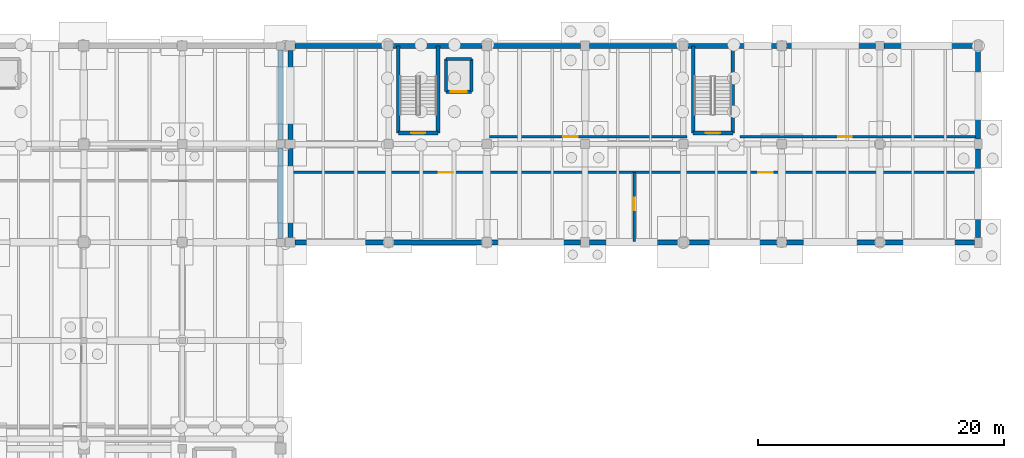
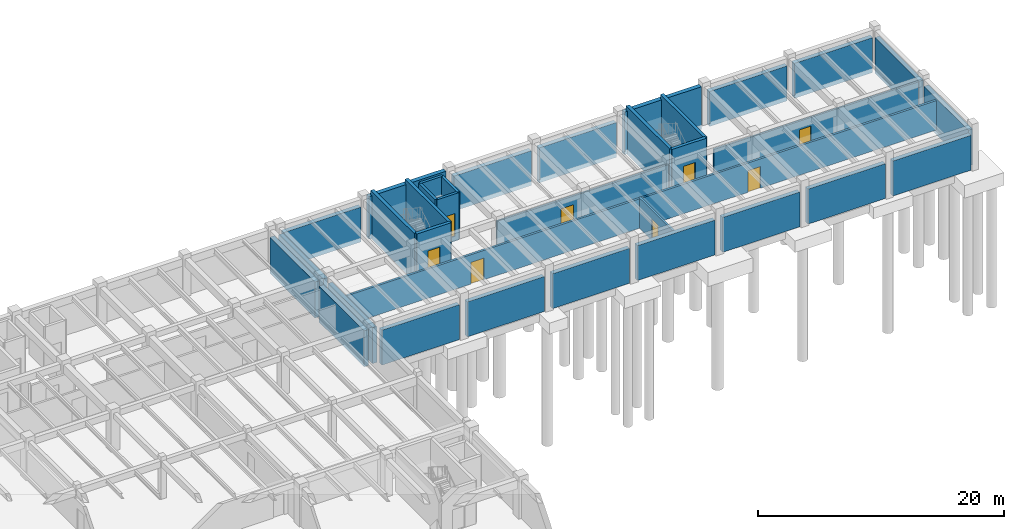
# One storey, part 16 of 25: 34 walls, 8 doors, 8 openings.
"""IFC4 building model written with IfcOpenShell, lengths in metres."""

import ifcopenshell
import ifcopenshell.guid

model = None  # the IFC model being written
_history = None  # IfcOwnerHistory: only IFC2X3 demands one
_inside = {}  # id of a spatial element -> (the spatial element, [elements in it])
_under = {}  # id of a project, library or spatial element -> (it, [spatial elements below it])
_declared = {}  # id of a project -> (the project, [libraries it declares])
_typed = {}  # id of a type object -> (the type object, [elements of that type])
_made_of = {}  # id of a material, layer set ... -> (it, [elements and type objects made of it])


def new_model(schema):
    """Start an empty IFC model of exactly this schema.

    Asked for "IFC4X3", IfcOpenShell would pick the latest addendum, in which some entities
    have other attributes; the version numbers below select the first issue.
    IFC2X3 requires an IfcOwnerHistory on every rooted entity: one is made here for all.
    """
    global model, _history
    if schema == "IFC4X3":
        model = ifcopenshell.file(schema_version=(4, 3, 0, 0))
    else:
        model = ifcopenshell.file(schema=schema)
    _inside.clear()
    _under.clear()
    _declared.clear()
    _typed.clear()
    _made_of.clear()
    _history = None
    if model.schema == "IFC2X3":
        org = make("IfcOrganization", Name="unknown")
        user = make(
            "IfcPersonAndOrganization",
            ThePerson=make("IfcPerson", FamilyName="unknown"),
            TheOrganization=org,
        )
        app = make(
            "IfcApplication",
            ApplicationDeveloper=org,
            Version="unknown",
            ApplicationFullName="unknown",
            ApplicationIdentifier="unknown",
        )
        _history = make(
            "IfcOwnerHistory",
            OwningUser=user,
            OwningApplication=app,
            ChangeAction="ADDED",
            CreationDate=0,
        )
    return model


def make(cls, **values):
    """One entity of the class cls with the attributes given. An attribute that is None is left unset."""
    return model.create_entity(
        cls, **{name: value for name, value in values.items() if value is not None}
    )


def rooted(cls, **values):
    """An entity with a GlobalId (a new one), such as an element, a storey or a relation."""
    return make(cls, GlobalId=ifcopenshell.guid.new(), OwnerHistory=_history, **values)


def si_unit(unit_type, name, prefix=None):
    """IfcSIUnit, for example si_unit("LENGTHUNIT", "METRE", prefix="MILLI")."""
    return make("IfcSIUnit", UnitType=unit_type, Prefix=prefix, Name=name)


def assignment(units):
    """IfcUnitAssignment: the units of a project."""
    return None if units is None else make("IfcUnitAssignment", Units=units)


def point(xyz):
    """IfcCartesianPoint."""
    return None if xyz is None else make("IfcCartesianPoint", Coordinates=xyz)


def direction(xyz):
    """IfcDirection."""
    return None if xyz is None else make("IfcDirection", DirectionRatios=xyz)


def frame(location, z_axis=None, x_axis=None):
    """IfcAxis2Placement3D, a coordinate frame: its origin and axes. An axis left out is left unset."""
    return make(
        "IfcAxis2Placement3D",
        Location=point(location),
        Axis=direction(z_axis),
        RefDirection=direction(x_axis),
    )


def frame_2d(location, x_axis=None):
    """IfcAxis2Placement2D, a coordinate frame in the plane: its origin and x axis."""
    return make(
        "IfcAxis2Placement2D", Location=point(location), RefDirection=direction(x_axis)
    )


def origin():
    """The frame at (0, 0, 0) with its axes left unset."""
    return frame((0.0, 0.0, 0.0))


def place(relative_to, where):
    """IfcLocalPlacement: puts the frame where relative to a parent placement (None: the world)."""
    return make(
        "IfcLocalPlacement", PlacementRelTo=relative_to, RelativePlacement=where
    )


def context(
    kind, dimensions, precision=None, world=None, true_north=None, identifier=None
):
    """IfcGeometricRepresentationContext, for example the 3D "Model" context."""
    return make(
        "IfcGeometricRepresentationContext",
        ContextIdentifier=identifier,
        ContextType=kind,
        CoordinateSpaceDimension=dimensions,
        Precision=precision,
        WorldCoordinateSystem=world,
        TrueNorth=true_north,
    )


def subcontext(parent, identifier, kind, view, scale=None):
    """IfcGeometricRepresentationSubContext, for example "Body" below "Model"."""
    return make(
        "IfcGeometricRepresentationSubContext",
        ContextIdentifier=identifier,
        ContextType=kind,
        ParentContext=parent,
        TargetScale=scale,
        TargetView=view,
    )


def project(units=None, contexts=None):
    """IfcProject with its units and contexts."""
    return rooted(
        "IfcProject",
        Name="project",
        RepresentationContexts=contexts,
        UnitsInContext=assignment(units),
    )


def spatial(cls, under=None, at=None, **own):
    """A site, building, storey or space (cls), placed at a placement, below another one or the project."""
    s = rooted(cls, ObjectPlacement=at, **own)
    if under is not None:
        _under.setdefault(under.id(), (under, []))[1].append(s)
    return s


def profile(cls, at=None, kind="AREA", **sizes):
    """A parametric profile (cls). Its sizes go by their IFC names, for example OverallWidth=200.0."""
    return make(cls, ProfileType=kind, Position=at, **sizes)


def rectangle(**sizes):
    """IfcRectangleProfileDef."""
    return profile("IfcRectangleProfileDef", **sizes)


def extrude(swept, where, along, depth):
    """IfcExtrudedAreaSolid: the profile swept, set in the frame where, extruded along a direction by depth."""
    return make(
        "IfcExtrudedAreaSolid",
        SweptArea=swept,
        Position=where,
        ExtrudedDirection=direction(along),
        Depth=depth,
    )


def shape(context_of_items, identifier, shape_type, items):
    """IfcShapeRepresentation: the items that make up one representation, for example the "Body"."""
    return make(
        "IfcShapeRepresentation",
        ContextOfItems=context_of_items,
        RepresentationIdentifier=identifier,
        RepresentationType=shape_type,
        Items=items,
    )


def material(Name=None, Category=None):
    """IfcMaterial."""
    return make("IfcMaterial", Name=Name, Category=Category)


def layer(
    of_material, thickness, ventilated=None, Name=None, Category=None, Priority=None
):
    """IfcMaterialLayer: one layer of a wall or slab, of a material (None: an air gap)."""
    return make(
        "IfcMaterialLayer",
        Material=of_material,
        LayerThickness=thickness,
        IsVentilated=ventilated,
        Name=Name,
        Category=Category,
        Priority=Priority,
    )


def layer_set(layers, Name=None):
    """IfcMaterialLayerSet."""
    return make("IfcMaterialLayerSet", MaterialLayers=layers, LayerSetName=Name)


def made_of(thing, what):
    """Note that an element or type object is made of a material, layer set ...; save() writes the relation."""
    if what is not None:
        _made_of.setdefault(what.id(), (what, []))[1].append(thing)
    return thing


def type_object(cls, material=None, **own):
    """A type object (cls), such as IfcWallType, which elements share."""
    return made_of(rooted(cls, **own), material)


def element(
    cls,
    number,
    at=None,
    inside=None,
    cuts=None,
    type_object=None,
    material=None,
    context=None,
    identifier="Body",
    shape_type=None,
    held_by="IfcProductDefinitionShape",
    body=None,
    shapes=None,
    **own,
):
    """One element of the class cls, such as IfcWall. Its Tag is "e" and its number.

    at: its placement. inside: the storey or other place that contains it. cuts: it is an
    opening in that element (IfcRelVoidsElement). A single representation is given by context,
    identifier, shape_type and body (its items); several are given by shapes. held_by: the class
    of the entity that holds the representations. save() writes the other relations.
    """
    e = rooted(cls, Tag="e%d" % number, ObjectPlacement=at, **own)
    if body is not None:
        shapes = [shape(context, identifier, shape_type, body)]
    if shapes is not None:
        e.Representation = make(held_by, Representations=shapes)
    if inside is not None:
        _inside.setdefault(inside.id(), (inside, []))[1].append(e)
    if cuts is not None:
        rooted(
            "IfcRelVoidsElement", RelatingBuildingElement=cuts, RelatedOpeningElement=e
        )
    if type_object is not None:
        _typed.setdefault(type_object.id(), (type_object, []))[1].append(e)
    return made_of(e, material)


def fill(opening, filler):
    """IfcRelFillsElement: the door or window that sits in an opening."""
    return rooted(
        "IfcRelFillsElement",
        RelatingOpeningElement=opening,
        RelatedBuildingElement=filler,
    )


def aggregate(whole, parts):
    """IfcRelAggregates: a whole, such as a stair, and the parts it consists of."""
    return rooted("IfcRelAggregates", RelatingObject=whole, RelatedObjects=parts)


def save(model, path):
    """Write the relations noted so far, then the file.

    IfcRelAggregates (storeys below a building ...), IfcRelContainedInSpatialStructure (elements
    in a storey), IfcRelDefinesByType, IfcRelAssociatesMaterial and IfcRelDeclares: one each for
    every whole, place, type object, material and project.
    """
    for whole, parts in _under.values():
        aggregate(whole, parts)
    for where, things in _inside.values():
        rooted(
            "IfcRelContainedInSpatialStructure",
            RelatedElements=things,
            RelatingStructure=where,
        )
    for kind, things in _typed.values():
        rooted("IfcRelDefinesByType", RelatedObjects=things, RelatingType=kind)
    for what, things in _made_of.values():
        rooted("IfcRelAssociatesMaterial", RelatedObjects=things, RelatingMaterial=what)
    for by, libraries in _declared.values():
        rooted("IfcRelDeclares", RelatingContext=by, RelatedDefinitions=libraries)
    model.write(path)


model = new_model("IFC4")

# Units and contexts
model_context = context("Model", 3, precision=1e-05, world=origin(), true_north=direction((0.0, 1.0)))
body_context = subcontext(model_context, "Body", "Model", "MODEL_VIEW")
ifc_project = project(units=[si_unit("LENGTHUNIT", "METRE"), si_unit("AREAUNIT", "SQUARE_METRE"), si_unit("VOLUMEUNIT", "CUBIC_METRE"), si_unit("PLANEANGLEUNIT", "RADIAN"), si_unit("MASSUNIT", "GRAM", prefix="KILO")], contexts=[model_context])

# Site, building, storey
site_placement = place(None, origin())
site = spatial("IfcSite", under=ifc_project, at=site_placement, CompositionType="ELEMENT")
building_placement = place(site_placement, origin())
building = spatial("IfcBuilding", under=site, at=building_placement, Name="Tlaxcora Railside Police Headquarters", CompositionType="ELEMENT")
storey_placement = place(building_placement, frame((0.0, 0.0, -4.199951171875)))
storey = spatial("IfcBuildingStorey", under=building, at=storey_placement, Name="B1", CompositionType="ELEMENT", Elevation=-4.199951171875)

# Wall, opening, door
ifc_material_1 = material(Name="Gypsum acoustic partition board")
ifc_layer_1 = layer(ifc_material_1, 0.175048828125, Name="Gypsum acoustic partition board")
ifc_layer_set_1 = layer_set([ifc_layer_1], Name="Gypsum acoustic partition board")
wall_type_1 = type_object("IfcWallType", Name="Interior Partition Wall IW-22", PredefinedType="PARTITIONING", material=ifc_layer_set_1)
wall_1_placement = place(storey_placement, frame((119.0, 85.39990234375, 0.0), z_axis=(0.0, 0.0, 1.0), x_axis=(1.0, 0.0, 0.0)))
wall_1 = element("IfcWall", 1, at=wall_1_placement, inside=storey, type_object=wall_type_1, Name="V6 B1 interior partition 19", PredefinedType="PARTITIONING", context=body_context, shape_type="SweptSolid", body=[
    extrude(rectangle(XDim=16.10009765625, YDim=0.175048828125, at=frame_2d((8.050048828125, 0.0))), origin(), (0.0, 0.0, 1.0), 3.014892578125),
])
opening_1_placement = place(wall_1_placement, frame((6.0, 0.0, 0.0)))
opening_1 = element("IfcOpeningElement", 2, at=opening_1_placement, cuts=wall_1, Name="Opening D-B1-075", PredefinedType="OPENING", context=body_context, shape_type="SweptSolid", body=[
    extrude(rectangle(XDim=1.199951171875, YDim=2.14990234375, at=frame_2d((0.60009765625, 1.074951171875))), frame((0.0, 0.09765625, 0.0), z_axis=(0.0, -1.0, 0.0), x_axis=(1.0, 0.0, 0.0)), (0.0, 0.0, 1.0), 0.195068359375),
])
ifc_material_2 = material(Name="Steel ASTM A992 Grade 50", Category="steel")
door_type_1 = type_object("IfcDoorType", Name="Swing or Sliding Personnel Door ID-14", OperationType="NOTDEFINED", PredefinedType="DOOR", material=ifc_material_2)
door_1_placement = place(opening_1_placement, origin())
door_1 = element("IfcDoor", 3, at=door_1_placement, inside=storey, type_object=door_type_1, Name="V6 B1 door D-B1-075", OperationType="DOUBLE_DOOR_SINGLE_SWING", OverallHeight=2.14990234375, OverallWidth=1.199951171875, PredefinedType="DOOR", context=body_context, shape_type="SweptSolid", body=[
    extrude(rectangle(XDim=1.199951171875, YDim=2.14990234375, at=frame_2d((0.60009765625, 1.074951171875))), frame((0.0, 0.02490234375, 0.0), z_axis=(0.0, -1.0, 0.0), x_axis=(1.0, 0.0, 0.0)), (0.0, 0.0, 1.0), 0.050048828125),
])
fill(opening_1, door_1)

wall_2_placement = place(storey_placement, frame((139.39990234375, 85.39990234375, 0.0), z_axis=(0.0, 0.0, 1.0), x_axis=(1.0, 0.0, 0.0)))
wall_2 = element("IfcWall", 4, at=wall_2_placement, inside=storey, type_object=wall_type_1, Name="V6 B1 interior partition 20", PredefinedType="PARTITIONING", context=body_context, shape_type="SweptSolid", body=[
    extrude(rectangle(XDim=19.320068359375, YDim=0.175048828125, at=frame_2d((9.66015625, 0.0))), origin(), (0.0, 0.0, 1.0), 3.014892578125),
])
opening_2_placement = place(wall_2_placement, frame((8.0, 0.0, 0.0)))
opening_2 = element("IfcOpeningElement", 5, at=opening_2_placement, cuts=wall_2, Name="Opening D-B1-076", PredefinedType="OPENING", context=body_context, shape_type="SweptSolid", body=[
    extrude(rectangle(XDim=1.10009765625, YDim=2.14990234375, at=frame_2d((0.550048828125, 1.074951171875))), frame((0.0, 0.09765625, 0.0), z_axis=(0.0, -1.0, 0.0), x_axis=(1.0, 0.0, 0.0)), (0.0, 0.0, 1.0), 0.195068359375),
])
door_type_2 = type_object("IfcDoorType", Name="Swing or Sliding Personnel Door ID-25", OperationType="NOTDEFINED", PredefinedType="DOOR", material=ifc_material_2)
door_2_placement = place(opening_2_placement, origin())
door_2 = element("IfcDoor", 6, at=door_2_placement, inside=storey, type_object=door_type_2, Name="V6 B1 door D-B1-076", OperationType="SINGLE_SWING_RIGHT", OverallHeight=2.14990234375, OverallWidth=1.10009765625, PredefinedType="DOOR", context=body_context, shape_type="SweptSolid", body=[
    extrude(rectangle(XDim=1.10009765625, YDim=2.14990234375, at=frame_2d((0.550048828125, 1.074951171875))), frame((0.0, 0.02490234375, 0.0), z_axis=(0.0, -1.0, 0.0), x_axis=(1.0, 0.0, 0.0)), (0.0, 0.0, 1.0), 0.050048828125),
])
fill(opening_2, door_2)

# Wall, openings, doors
ifc_material_3 = material(Name="Pressed clay brick masonry", Category="masonry")
ifc_layer_2 = layer(ifc_material_3, 0.199951171875, Name="Pressed clay brick masonry")
ifc_layer_set_2 = layer_set([ifc_layer_2], Name="Pressed clay brick masonry")
wall_type_2 = type_object("IfcWallType", Name="Interior Partition Wall IW-60", PredefinedType="PARTITIONING", material=ifc_layer_set_2)
wall_3_placement = place(storey_placement, frame((102.8798828125, 82.5, 0.0), z_axis=(0.0, 0.0, 1.0), x_axis=(1.0, 0.0, 0.0)))
wall_3 = element("IfcWall", 7, at=wall_3_placement, inside=storey, type_object=wall_type_2, Name="V6 B1 interior partition 17", PredefinedType="PARTITIONING", context=body_context, shape_type="SweptSolid", body=[
    extrude(rectangle(XDim=55.840087890625, YDim=0.199951171875, at=frame_2d((27.919921875, 0.0))), origin(), (0.0, 0.0, 1.0), 2.9150390625),
])
opening_3_placement = place(wall_3_placement, frame((12.0, 0.0, 0.0)))
opening_3 = element("IfcOpeningElement", 8, at=opening_3_placement, cuts=wall_3, Name="Opening D-B1-072", PredefinedType="OPENING", context=body_context, shape_type="SweptSolid", body=[
    extrude(rectangle(XDim=1.199951171875, YDim=2.14990234375, at=frame_2d((0.60009765625, 1.074951171875))), frame((0.0, 0.10986328125, 0.0), z_axis=(0.0, -1.0, 0.0), x_axis=(1.0, 0.0, 0.0)), (0.0, 0.0, 1.0), 0.219970703125),
])
opening_4_placement = place(wall_3_placement, frame((38.0, 0.0, 0.0)))
opening_4 = element("IfcOpeningElement", 9, at=opening_4_placement, cuts=wall_3, Name="Opening D-B1-073", PredefinedType="OPENING", context=body_context, shape_type="SweptSolid", body=[
    extrude(rectangle(XDim=1.199951171875, YDim=2.14990234375, at=frame_2d((0.60009765625, 1.074951171875))), frame((0.0, 0.10986328125, 0.0), z_axis=(0.0, -1.0, 0.0), x_axis=(1.0, 0.0, 0.0)), (0.0, 0.0, 1.0), 0.219970703125),
])
door_3_placement = place(opening_3_placement, origin())
door_3 = element("IfcDoor", 10, at=door_3_placement, inside=storey, type_object=door_type_1, Name="V6 B1 door D-B1-072", OperationType="DOUBLE_DOOR_SINGLE_SWING", OverallHeight=2.14990234375, OverallWidth=1.199951171875, PredefinedType="DOOR", context=body_context, shape_type="SweptSolid", body=[
    extrude(rectangle(XDim=1.199951171875, YDim=2.14990234375, at=frame_2d((0.60009765625, 1.074951171875))), frame((0.0, 0.02490234375, 0.0), z_axis=(0.0, -1.0, 0.0), x_axis=(1.0, 0.0, 0.0)), (0.0, 0.0, 1.0), 0.050048828125),
])
fill(opening_3, door_3)
door_4_placement = place(opening_4_placement, origin())
door_4 = element("IfcDoor", 11, at=door_4_placement, inside=storey, type_object=door_type_1, Name="V6 B1 door D-B1-073", OperationType="DOUBLE_DOOR_SINGLE_SWING", OverallHeight=2.14990234375, OverallWidth=1.199951171875, PredefinedType="DOOR", context=body_context, shape_type="SweptSolid", body=[
    extrude(rectangle(XDim=1.199951171875, YDim=2.14990234375, at=frame_2d((0.60009765625, 1.074951171875))), frame((0.0, 0.02490234375, 0.0), z_axis=(0.0, -1.0, 0.0), x_axis=(1.0, 0.0, 0.0)), (0.0, 0.0, 1.0), 0.050048828125),
])
fill(opening_4, door_4)

# Wall, opening, door
wall_4_placement = place(storey_placement, frame((130.800048828125, 76.8798828125, 0.0), z_axis=(0.0, 0.0, 1.0), x_axis=(0.0, 1.0, 0.0)))
wall_4 = element("IfcWall", 12, at=wall_4_placement, inside=storey, type_object=wall_type_2, Name="V6 B1 interior partition 18", PredefinedType="PARTITIONING", context=body_context, shape_type="SweptSolid", body=[
    extrude(rectangle(XDim=5.6201171875, YDim=0.199951171875, at=frame_2d((2.81005859375, 0.0))), origin(), (0.0, 0.0, 1.0), 3.014892578125),
])
opening_5_placement = place(wall_4_placement, frame((2.530029296875, 0.0, 0.0)))
opening_5 = element("IfcOpeningElement", 13, at=opening_5_placement, cuts=wall_4, Name="Opening D-B1-074", PredefinedType="OPENING", context=body_context, shape_type="SweptSolid", body=[
    extrude(rectangle(XDim=1.0, YDim=2.14990234375, at=frame_2d((0.5, 1.074951171875))), frame((0.0, 0.10986328125, 0.0), z_axis=(0.0, -1.0, 0.0), x_axis=(1.0, 0.0, 0.0)), (0.0, 0.0, 1.0), 0.219970703125),
])
door_type_3 = type_object("IfcDoorType", Name="Swing or Sliding Personnel Door ID-55", OperationType="NOTDEFINED", PredefinedType="DOOR", material=ifc_material_2)
door_5_placement = place(opening_5_placement, origin())
door_5 = element("IfcDoor", 14, at=door_5_placement, inside=storey, type_object=door_type_3, Name="V6 B1 door D-B1-074", OperationType="SINGLE_SWING_LEFT", OverallHeight=2.14990234375, OverallWidth=1.0, PredefinedType="DOOR", context=body_context, shape_type="SweptSolid", body=[
    extrude(rectangle(XDim=1.0, YDim=2.14990234375, at=frame_2d((0.5, 1.074951171875))), frame((0.0, 0.02490234375, 0.0), z_axis=(0.0, -1.0, 0.0), x_axis=(1.0, 0.0, 0.0)), (0.0, 0.0, 1.0), 0.050048828125),
])
fill(opening_5, door_5)

ifc_material_4 = material(Name="Concrete C40/50", Category="concrete")
ifc_layer_3 = layer(ifc_material_4, 0.25, Name="Concrete C40/50")
ifc_layer_set_3 = layer_set([ifc_layer_3], Name="Concrete C40/50")
wall_type_3 = type_object("IfcWallType", Name="Shear Core Wall IW-13", PredefinedType="SHEAR", material=ifc_layer_set_3)
wall_5_placement = place(storey_placement, frame((115.4599609375, 89.06005859375, -0.5), z_axis=(0.0, 0.0, 1.0), x_axis=(1.0, 0.0, 0.0)))
wall_5 = element("IfcWall", 15, at=wall_5_placement, inside=storey, type_object=wall_type_3, Name="Lift GL-01 B1 shaft wall S", PredefinedType="SHEAR", context=body_context, shape_type="SweptSolid", body=[
    extrude(rectangle(XDim=2.080078125, YDim=0.25, at=frame_2d((1.0400390625, 0.0))), origin(), (0.0, 0.0, 1.0), 4.699951171875),
])
opening_6_placement = place(wall_5_placement, frame((0.389892578125, 0.0, 0.5)))
opening_6 = element("IfcOpeningElement", 16, at=opening_6_placement, cuts=wall_5, Name="Opening LD-GL-01-B1", PredefinedType="OPENING", context=body_context, shape_type="SweptSolid", body=[
    extrude(rectangle(XDim=1.300048828125, YDim=2.25, at=frame_2d((0.64990234375, 1.125))), frame((0.0, 0.135009765625, 0.0), z_axis=(0.0, -1.0, 0.0), x_axis=(1.0, 0.0, 0.0)), (0.0, 0.0, 1.0), 0.27001953125),
])
door_type_4 = type_object("IfcDoorType", Name="Swing or Sliding Personnel Door ID-72", OperationType="NOTDEFINED", PredefinedType="DOOR", material=ifc_material_2)
door_6_placement = place(opening_6_placement, origin())
door_6 = element("IfcDoor", 17, at=door_6_placement, inside=storey, type_object=door_type_4, Name="Lift GL-01 B1 sliding landing door", OperationType="DOUBLE_DOOR_SLIDING", OverallHeight=2.25, OverallWidth=1.300048828125, PredefinedType="DOOR", context=body_context, shape_type="SweptSolid", body=[
    extrude(rectangle(XDim=1.300048828125, YDim=2.25, at=frame_2d((0.64990234375, 1.125))), frame((0.0, 0.02490234375, 0.0), z_axis=(0.0, -1.0, 0.0), x_axis=(1.0, 0.0, 0.0)), (0.0, 0.0, 1.0), 0.050048828125),
])
fill(opening_6, door_6)

# Walls
wall_6_placement = place(storey_placement, frame((117.5400390625, 89.06005859375, -0.5), z_axis=(0.0, 0.0, 1.0), x_axis=(0.0, 1.0, 0.0)))
element("IfcWall", 18, at=wall_6_placement, inside=storey, type_object=wall_type_3, Name="Lift GL-01 B1 shaft wall E", PredefinedType="SHEAR", context=body_context, shape_type="SweptSolid", body=[
    extrude(rectangle(XDim=2.679931640625, YDim=0.25, at=frame_2d((1.33984375, 0.0))), origin(), (0.0, 0.0, 1.0), 4.699951171875),
])
wall_7_placement = place(storey_placement, frame((117.5400390625, 91.739990234375, -0.5), z_axis=(0.0, 0.0, 1.0), x_axis=(-1.0, 0.0, 0.0)))
element("IfcWall", 19, at=wall_7_placement, inside=storey, type_object=wall_type_3, Name="Lift GL-01 B1 shaft wall N", PredefinedType="SHEAR", context=body_context, shape_type="SweptSolid", body=[
    extrude(rectangle(XDim=2.080078125, YDim=0.25, at=frame_2d((1.0400390625, 0.0))), origin(), (0.0, 0.0, 1.0), 4.699951171875),
])
wall_8_placement = place(storey_placement, frame((115.4599609375, 91.739990234375, -0.5), z_axis=(0.0, 0.0, 1.0), x_axis=(0.0, -1.0, 0.0)))
element("IfcWall", 20, at=wall_8_placement, inside=storey, type_object=wall_type_3, Name="Lift GL-01 B1 shaft wall W", PredefinedType="SHEAR", context=body_context, shape_type="SweptSolid", body=[
    extrude(rectangle(XDim=2.679931640625, YDim=0.25, at=frame_2d((1.33984375, 0.0))), origin(), (0.0, 0.0, 1.0), 4.699951171875),
])

# Wall, opening, door
ifc_layer_4 = layer(ifc_material_4, 0.300048828125, Name="Concrete C40/50")
ifc_layer_set_4 = layer_set([ifc_layer_4], Name="Concrete C40/50")
wall_type_4 = type_object("IfcWallType", Name="Shear Core Wall IW-28", PredefinedType="SHEAR", material=ifc_layer_set_4)
wall_9_placement = place(storey_placement, frame((111.60009765625, 85.699951171875, -0.52001953125), z_axis=(0.0, 0.0, 1.0), x_axis=(1.0, 0.0, 0.0)))
wall_9 = element("IfcWall", 21, at=wall_9_placement, inside=storey, type_object=wall_type_4, Name="CORE-C3 B1 stair core wall S", PredefinedType="SHEAR", context=body_context, shape_type="SweptSolid", body=[
    extrude(rectangle(XDim=3.219970703125, YDim=0.300048828125, at=frame_2d((1.60986328125, 0.0))), origin(), (0.0, 0.0, 1.0), 4.719970703125),
])
opening_7_placement = place(wall_9_placement, frame((1.034912109375, 0.0, 0.52001953125)))
opening_7 = element("IfcOpeningElement", 22, at=opening_7_placement, cuts=wall_9, Name="Opening SD-B1-019", PredefinedType="OPENING", context=body_context, shape_type="SweptSolid", body=[
    extrude(rectangle(XDim=1.14990234375, YDim=2.14990234375, at=frame_2d((0.574951171875, 1.074951171875))), frame((0.0, 0.16015625, 0.0), z_axis=(0.0, -1.0, 0.0), x_axis=(1.0, 0.0, 0.0)), (0.0, 0.0, 1.0), 0.320068359375),
])
door_type_5 = type_object("IfcDoorType", Name="Swing or Sliding Personnel Door ID-73", OperationType="NOTDEFINED", PredefinedType="DOOR", material=ifc_material_2)
door_7_placement = place(opening_7_placement, origin())
door_7 = element("IfcDoor", 23, at=door_7_placement, inside=storey, type_object=door_type_5, Name="Stair ST3 B1 enclosure fire door", OperationType="SINGLE_SWING_LEFT", OverallHeight=2.14990234375, OverallWidth=1.14990234375, PredefinedType="DOOR", context=body_context, shape_type="SweptSolid", body=[
    extrude(rectangle(XDim=1.14990234375, YDim=2.14990234375, at=frame_2d((0.574951171875, 1.074951171875))), frame((0.0, 0.02490234375, 0.0), z_axis=(0.0, -1.0, 0.0), x_axis=(1.0, 0.0, 0.0)), (0.0, 0.0, 1.0), 0.050048828125),
])
fill(opening_7, door_7)

# Walls
for number, where, z_axis, x_axis, name in (
    (24, (114.820068359375, 85.699951171875, -0.52001953125), (0.0, 0.0, 1.0), (0.0, 1.0, 0.0), "CORE-C3 B1 stair core wall E"),
    (25, (111.60009765625, 92.800048828125, -0.52001953125), (0.0, 0.0, 1.0), (0.0, -1.0, 0.0), "CORE-C3 B1 stair core wall W"),
):
    element("IfcWall", number, at=place(storey_placement, frame(where, z_axis=z_axis, x_axis=x_axis)), inside=storey, type_object=wall_type_4, Name=name, PredefinedType="SHEAR", context=body_context, shape_type="SweptSolid", body=[
        extrude(rectangle(XDim=7.10009765625, YDim=0.300048828125, at=frame_2d((3.550048828125, 0.0))), origin(), (0.0, 0.0, 1.0), 4.719970703125),
    ])

# Wall, opening, door
wall_10_placement = place(storey_placement, frame((135.60009765625, 85.699951171875, -0.52001953125), z_axis=(0.0, 0.0, 1.0), x_axis=(1.0, 0.0, 0.0)))
wall_10 = element("IfcWall", 26, at=wall_10_placement, inside=storey, type_object=wall_type_4, Name="CORE-C3B B1 stair core wall S", PredefinedType="SHEAR", context=body_context, shape_type="SweptSolid", body=[
    extrude(rectangle(XDim=3.219970703125, YDim=0.300048828125, at=frame_2d((1.60986328125, 0.0))), origin(), (0.0, 0.0, 1.0), 4.719970703125),
])
opening_8_placement = place(wall_10_placement, frame((1.034912109375, 0.0, 0.52001953125)))
opening_8 = element("IfcOpeningElement", 27, at=opening_8_placement, cuts=wall_10, Name="Opening SD-B1-025", PredefinedType="OPENING", context=body_context, shape_type="SweptSolid", body=[
    extrude(rectangle(XDim=1.14990234375, YDim=2.14990234375, at=frame_2d((0.574951171875, 1.074951171875))), frame((0.0, 0.16015625, 0.0), z_axis=(0.0, -1.0, 0.0), x_axis=(1.0, 0.0, 0.0)), (0.0, 0.0, 1.0), 0.320068359375),
])
door_8_placement = place(opening_8_placement, origin())
door_8 = element("IfcDoor", 28, at=door_8_placement, inside=storey, type_object=door_type_5, Name="Stair ST8 B1 enclosure fire door", OperationType="SINGLE_SWING_LEFT", OverallHeight=2.14990234375, OverallWidth=1.14990234375, PredefinedType="DOOR", context=body_context, shape_type="SweptSolid", body=[
    extrude(rectangle(XDim=1.14990234375, YDim=2.14990234375, at=frame_2d((0.574951171875, 1.074951171875))), frame((0.0, 0.02490234375, 0.0), z_axis=(0.0, -1.0, 0.0), x_axis=(1.0, 0.0, 0.0)), (0.0, 0.0, 1.0), 0.050048828125),
])
fill(opening_8, door_8)

# Walls
for number, where, z_axis, x_axis, name in (
    (29, (138.820068359375, 85.699951171875, -0.52001953125), (0.0, 0.0, 1.0), (0.0, 1.0, 0.0), "CORE-C3B B1 stair core wall E"),
    (30, (135.60009765625, 92.800048828125, -0.52001953125), (0.0, 0.0, 1.0), (0.0, -1.0, 0.0), "CORE-C3B B1 stair core wall W"),
):
    element("IfcWall", number, at=place(storey_placement, frame(where, z_axis=z_axis, x_axis=x_axis)), inside=storey, type_object=wall_type_4, Name=name, PredefinedType="SHEAR", context=body_context, shape_type="SweptSolid", body=[
        extrude(rectangle(XDim=7.10009765625, YDim=0.300048828125, at=frame_2d((3.550048828125, 0.0))), origin(), (0.0, 0.0, 1.0), 4.719970703125),
    ])
ifc_material_5 = material(Name="Concrete C35/45", Category="concrete")
ifc_layer_5 = layer(ifc_material_5, 0.429931640625, Name="Concrete C35/45")
ifc_layer_set_5 = layer_set([ifc_layer_5], Name="Concrete C35/45")
wall_type_5 = type_object("IfcWallType", Name="Structural Bearing Wall EW-49", PredefinedType="SOLIDWALL", material=ifc_layer_set_5)
for number, where, z_axis, x_axis, name in (
    (31, (102.0, 77.125, -0.43994140625), (0.0, 0.0, 1.0), (0.0, 1.0, 0.0), "V5 B1 exterior wall 1.4"),
    (32, (102.0, 85.125, -0.43994140625), (0.0, 0.0, 1.0), (0.0, 1.0, 0.0), "V5 B1 exterior wall 1.5"),
):
    element("IfcWall", number, at=place(storey_placement, frame(where, z_axis=z_axis, x_axis=x_axis)), inside=storey, type_object=wall_type_5, Name=name, PredefinedType="SOLIDWALL", context=body_context, shape_type="SweptSolid", body=[
        extrude(rectangle(XDim=7.35009765625, YDim=0.429931640625, at=frame_2d((3.675048828125, 0.0))), origin(), (0.0, 0.0, 1.0), 3.56982421875),
    ])
ifc_layer_6 = layer(ifc_material_5, 0.405029296875, Name="Concrete C35/45")
ifc_layer_set_6 = layer_set([ifc_layer_6], Name="Concrete C35/45")
wall_type_6 = type_object("IfcWallType", Name="Structural Bearing Wall EW-89", PredefinedType="SOLIDWALL", material=ifc_layer_set_6)
for number, where, z_axis, x_axis, name in (
    (33, (103.175048828125, 76.800048828125, -0.43994140625), (0.0, 0.0, 1.0), (1.0, 0.0, 0.0), "V6 B1 exterior wall 0.0"),
    (34, (111.175048828125, 76.800048828125, -0.43994140625), (0.0, 0.0, 1.0), (1.0, 0.0, 0.0), "V6 B1 exterior wall 0.1"),
    (35, (119.175048828125, 76.800048828125, -0.43994140625), (0.0, 0.0, 1.0), (1.0, 0.0, 0.0), "V6 B1 exterior wall 0.2"),
    (36, (127.175048828125, 76.800048828125, -0.43994140625), (0.0, 0.0, 1.0), (1.0, 0.0, 0.0), "V6 B1 exterior wall 0.3"),
    (37, (135.175048828125, 76.800048828125, -0.43994140625), (0.0, 0.0, 1.0), (1.0, 0.0, 0.0), "V6 B1 exterior wall 0.4"),
):
    element("IfcWall", number, at=place(storey_placement, frame(where, z_axis=z_axis, x_axis=x_axis)), inside=storey, type_object=wall_type_6, Name=name, PredefinedType="SOLIDWALL", context=body_context, shape_type="SweptSolid", body=[
        extrude(rectangle(XDim=7.25, YDim=0.405029296875, at=frame_2d((3.625, 0.0))), origin(), (0.0, 0.0, 1.0), 3.469970703125),
    ])
wall_11_placement = place(storey_placement, frame((143.175048828125, 76.800048828125, -0.43994140625), z_axis=(0.0, 0.0, 1.0), x_axis=(1.0, 0.0, 0.0)))
element("IfcWall", 38, at=wall_11_placement, inside=storey, type_object=wall_type_6, Name="V6 B1 exterior wall 0.5", PredefinedType="SOLIDWALL", context=body_context, shape_type="SweptSolid", body=[
    extrude(rectangle(XDim=7.27490234375, YDim=0.405029296875, at=frame_2d((3.637451171875, 0.0))), origin(), (0.0, 0.0, 1.0), 3.469970703125),
])
wall_12_placement = place(storey_placement, frame((151.14990234375, 76.800048828125, -0.43994140625), z_axis=(0.0, 0.0, 1.0), x_axis=(1.0, 0.0, 0.0)))
element("IfcWall", 39, at=wall_12_placement, inside=storey, type_object=wall_type_6, Name="V6 B1 exterior wall 0.6", PredefinedType="SOLIDWALL", context=body_context, shape_type="SweptSolid", body=[
    extrude(rectangle(XDim=7.35009765625, YDim=0.405029296875, at=frame_2d((3.675048828125, 0.0))), origin(), (0.0, 0.0, 1.0), 3.469970703125),
])
for number, where, z_axis, x_axis, name in (
    (40, (158.800048828125, 77.199951171875, -0.43994140625), (0.0, 0.0, 1.0), (0.0, 1.0, 0.0), "V6 B1 exterior wall 1.0"),
    (41, (158.800048828125, 85.199951171875, -0.43994140625), (0.0, 0.0, 1.0), (0.0, 1.0, 0.0), "V6 B1 exterior wall 1.1"),
):
    element("IfcWall", number, at=place(storey_placement, frame(where, z_axis=z_axis, x_axis=x_axis)), inside=storey, type_object=wall_type_6, Name=name, PredefinedType="SOLIDWALL", context=body_context, shape_type="SweptSolid", body=[
        extrude(rectangle(XDim=7.199951171875, YDim=0.405029296875, at=frame_2d((3.60009765625, 0.0))), origin(), (0.0, 0.0, 1.0), 3.56982421875),
    ])
wall_13_placement = place(storey_placement, frame((158.5, 92.800048828125, -0.43994140625), z_axis=(0.0, 0.0, 1.0), x_axis=(-1.0, 0.0, 0.0)))
element("IfcWall", 42, at=wall_13_placement, inside=storey, type_object=wall_type_6, Name="V6 B1 exterior wall 2.0", PredefinedType="SOLIDWALL", context=body_context, shape_type="SweptSolid", body=[
    extrude(rectangle(XDim=7.35009765625, YDim=0.405029296875, at=frame_2d((3.675048828125, 0.0))), origin(), (0.0, 0.0, 1.0), 3.469970703125),
])
wall_14_placement = place(storey_placement, frame((150.449951171875, 92.800048828125, -0.43994140625), z_axis=(0.0, 0.0, 1.0), x_axis=(-1.0, 0.0, 0.0)))
element("IfcWall", 43, at=wall_14_placement, inside=storey, type_object=wall_type_6, Name="V6 B1 exterior wall 2.1", PredefinedType="SOLIDWALL", context=body_context, shape_type="SweptSolid", body=[
    extrude(rectangle(XDim=7.27490234375, YDim=0.405029296875, at=frame_2d((3.637451171875, 0.0))), origin(), (0.0, 0.0, 1.0), 3.469970703125),
])
wall_15_placement = place(storey_placement, frame((142.425048828125, 92.800048828125, -0.43994140625), z_axis=(0.0, 0.0, 1.0), x_axis=(-1.0, 0.0, 0.0)))
element("IfcWall", 44, at=wall_15_placement, inside=storey, type_object=wall_type_6, Name="V6 B1 exterior wall 2.2", PredefinedType="SOLIDWALL", context=body_context, shape_type="SweptSolid", body=[
    extrude(rectangle(XDim=7.25, YDim=0.405029296875, at=frame_2d((3.625, 0.0))), origin(), (0.0, 0.0, 1.0), 4.219970703125),
])
for number, where, z_axis, x_axis, name in (
    (45, (134.425048828125, 92.800048828125, -0.43994140625), (0.0, 0.0, 1.0), (-1.0, 0.0, 0.0), "V6 B1 exterior wall 2.3"),
    (46, (126.425048828125, 92.800048828125, -0.43994140625), (0.0, 0.0, 1.0), (-1.0, 0.0, 0.0), "V6 B1 exterior wall 2.4"),
):
    element("IfcWall", number, at=place(storey_placement, frame(where, z_axis=z_axis, x_axis=x_axis)), inside=storey, type_object=wall_type_6, Name=name, PredefinedType="SOLIDWALL", context=body_context, shape_type="SweptSolid", body=[
        extrude(rectangle(XDim=7.25, YDim=0.405029296875, at=frame_2d((3.625, 0.0))), origin(), (0.0, 0.0, 1.0), 3.469970703125),
    ])
wall_16_placement = place(storey_placement, frame((118.425048828125, 92.800048828125, -0.43994140625), z_axis=(0.0, 0.0, 1.0), x_axis=(-1.0, 0.0, 0.0)))
element("IfcWall", 47, at=wall_16_placement, inside=storey, type_object=wall_type_6, Name="V6 B1 exterior wall 2.5", PredefinedType="SOLIDWALL", context=body_context, shape_type="SweptSolid", body=[
    extrude(rectangle(XDim=7.25, YDim=0.405029296875, at=frame_2d((3.625, 0.0))), origin(), (0.0, 0.0, 1.0), 4.219970703125),
])
wall_17_placement = place(storey_placement, frame((110.425048828125, 92.800048828125, -0.43994140625), z_axis=(0.0, 0.0, 1.0), x_axis=(-1.0, 0.0, 0.0)))
element("IfcWall", 48, at=wall_17_placement, inside=storey, type_object=wall_type_6, Name="V6 B1 exterior wall 2.6", PredefinedType="SOLIDWALL", context=body_context, shape_type="SweptSolid", body=[
    extrude(rectangle(XDim=7.25, YDim=0.405029296875, at=frame_2d((3.625, 0.0))), origin(), (0.0, 0.0, 1.0), 3.469970703125),
])
for number, where, z_axis, x_axis, name in (
    (49, (102.800048828125, 92.425048828125, -0.43994140625), (0.0, 0.0, 1.0), (0.0, -1.0, 0.0), "V6 B1 exterior wall 3.0"),
    (50, (102.800048828125, 84.425048828125, -0.43994140625), (0.0, 0.0, 1.0), (0.0, -1.0, 0.0), "V6 B1 exterior wall 3.1"),
):
    element("IfcWall", number, at=place(storey_placement, frame(where, z_axis=z_axis, x_axis=x_axis)), inside=storey, type_object=wall_type_6, Name=name, PredefinedType="SOLIDWALL", context=body_context, shape_type="SweptSolid", body=[
        extrude(rectangle(XDim=7.25, YDim=0.405029296875, at=frame_2d((3.625, 0.0))), origin(), (0.0, 0.0, 1.0), 3.56982421875),
    ])

save(model, "model.ifc")
